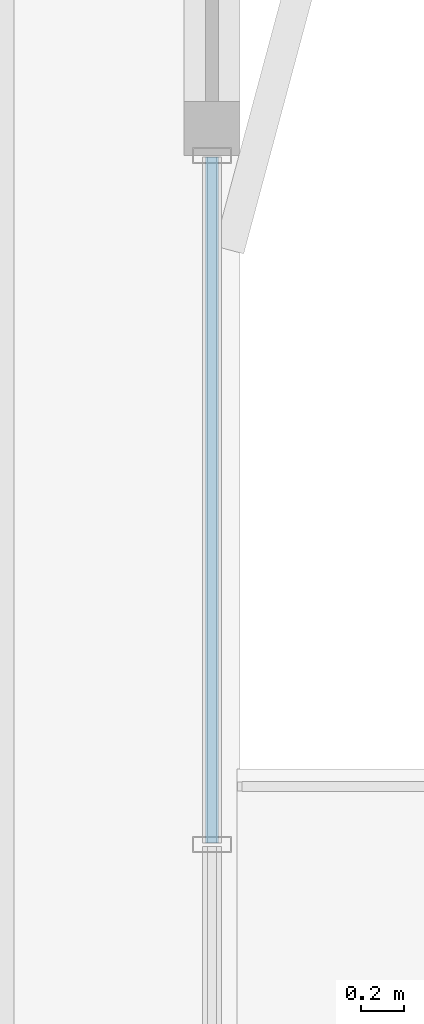
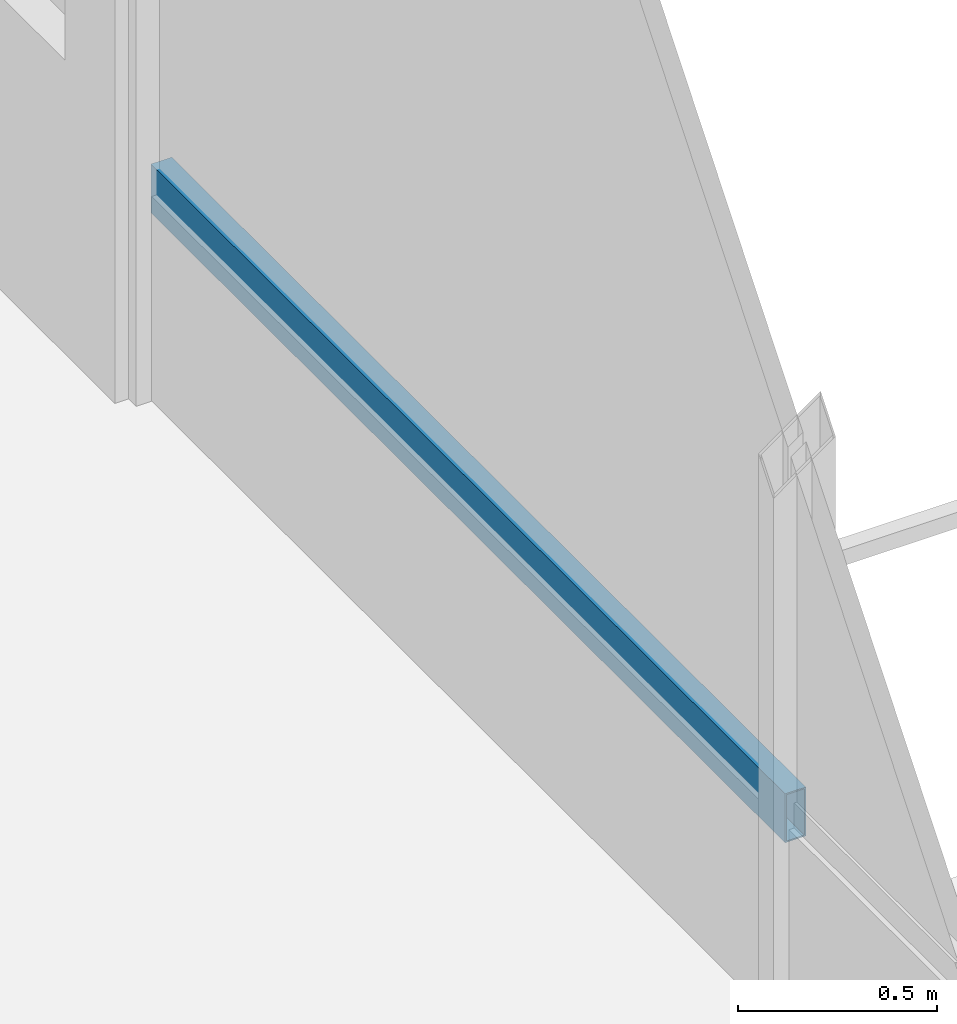
# One storey, part 11 of 25: 1 member, 1 element without a shape of its own.
"""IFC4 building model written with IfcOpenShell, lengths in metres."""

from ifc_helpers import new_model, si_unit, direction, frame, origin, origin_2d, place, context, subcontext, project, spatial, hollow_rectangle, extrude, material, layer, layer_set, material_profile, profile_set, type_object, element, aggregate, save


model = new_model("IFC4")

# Units and contexts
model_context = context("Model", 3, precision=1e-05, world=origin(), true_north=direction((0.0, 1.0)))
body_context = subcontext(model_context, "Body", "Model", "MODEL_VIEW")
ifc_project = project(units=[si_unit("LENGTHUNIT", "METRE"), si_unit("AREAUNIT", "SQUARE_METRE"), si_unit("VOLUMEUNIT", "CUBIC_METRE"), si_unit("PLANEANGLEUNIT", "RADIAN"), si_unit("MASSUNIT", "GRAM", prefix="KILO")], contexts=[model_context])

# Site, building, storey
site_placement = place(None, origin())
site = spatial("IfcSite", under=ifc_project, at=site_placement, CompositionType="ELEMENT")
building_placement = place(site_placement, origin())
building = spatial("IfcBuilding", under=site, at=building_placement, Name="Belovzor Exchange Tower", CompositionType="ELEMENT")
storey_placement = place(building_placement, frame((0.0, 0.0, 172.050048828125)))
storey = spatial("IfcBuildingStorey", under=building, at=storey_placement, Name="L42", CompositionType="ELEMENT", Elevation=172.050048828125)

# Curtain wall, member
ifc_material_1 = material(Name="Anodised Aluminium Framing", Category="aluminium")
ifc_layer = layer(ifc_material_1, 0.179931640625)
ifc_layer_set = layer_set([ifc_layer], Name="Anodised Aluminium Framing")
curtain_wall_type = type_object("IfcCurtainWallType", Name="Recessed Loggia Low-Iron Triple-Glazed Curtain Wall", PredefinedType="NOTDEFINED", material=ifc_layer_set)
curtain_wall_placement = place(storey_placement, origin())
curtain_wall = element("IfcCurtainWall", 1, at=curtain_wall_placement, inside=storey, type_object=curtain_wall_type, Name="CW3 Recessed Loggia Low-Iron Triple-Glazed Curtain Wall L42", PredefinedType="NOTDEFINED")
ifc_material_2 = material(Name="Steel S355", Category="steel")
ifc_material_profile = material_profile(ifc_material_2, hollow_rectangle(XDim=0.06005859375, YDim=0.14990234375, WallThickness=0.00390625, at=origin_2d()))
ifc_profile_set = profile_set([ifc_material_profile], Name="Steel S355")
member_type = type_object("IfcMemberType", Name="Thermally Broken Curtain Wall Transom 150x60", PredefinedType="USERDEFINED", material=ifc_profile_set)
member_placement = place(storey_placement, frame((52.969970703125, 33.592041015625, 0.62890625), z_axis=(0.0, -1.0, 0.0), x_axis=(1.0, 0.0, 0.0)))
member = element("IfcMember", 2, at=member_placement, type_object=member_type, Name="CW-T150 Curtain Wall Transom 1", ObjectType="TRANSOM", PredefinedType="USERDEFINED", context=body_context, shape_type="SweptSolid", body=[
    extrude(hollow_rectangle(XDim=0.06005859375, YDim=0.14990234375, WallThickness=0.00390625, at=origin_2d()), origin(), (0.0, 0.0, 1.0), 3.18408203125),
])
aggregate(curtain_wall, [member])

save(model, "model.ifc")
